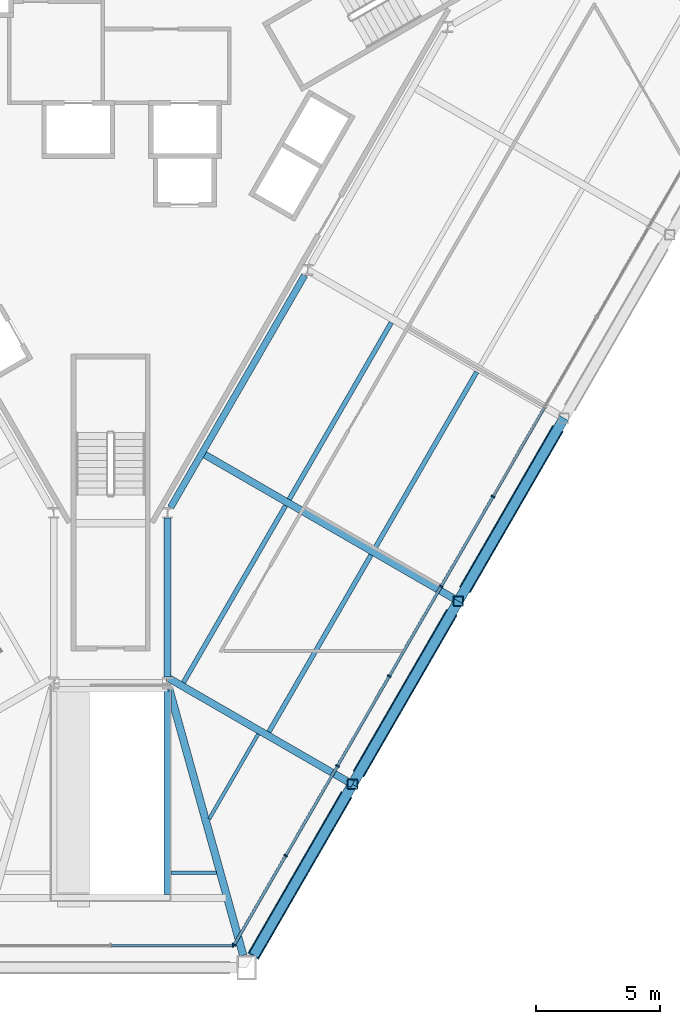
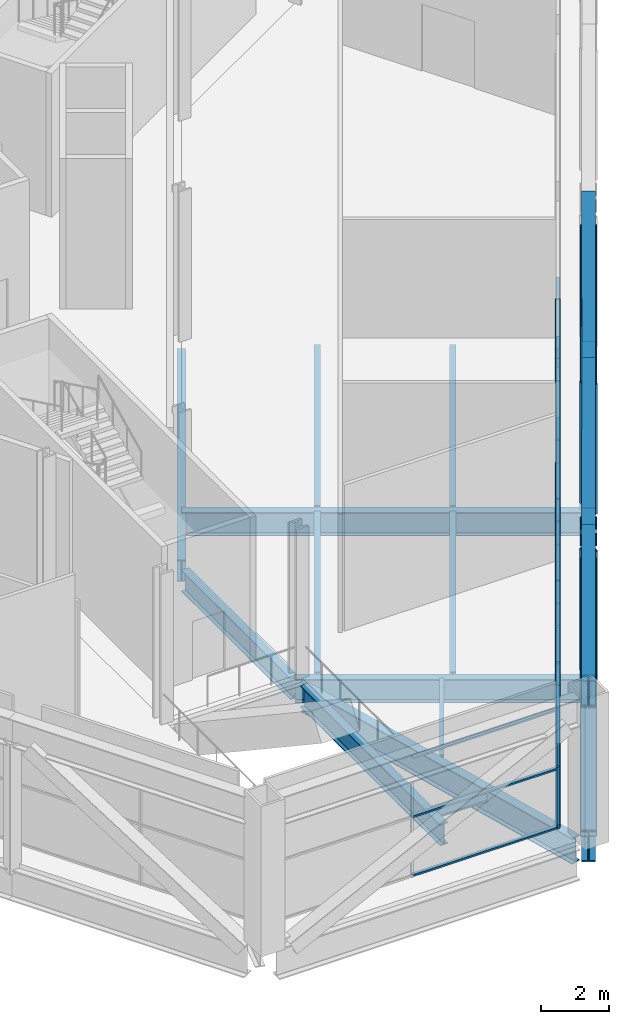
# One storey, part 4 of 20: 38 members, 12 beams, 2 elements without a shape of their own.
"""IFC4 building model written with IfcOpenShell, lengths in metres."""

from ifc_helpers import new_model, si_unit, direction, frame, origin, origin_2d, place, context, subcontext, project, spatial, rectangle, hollow_rectangle, i_section, extrude, material, layer, layer_set, material_profile, profile_set, type_object, element, aggregate, save


model = new_model("IFC4")

# Units and contexts
model_context = context("Model", 3, precision=1e-05, world=origin(), true_north=direction((0.0, 1.0)))
body_context = subcontext(model_context, "Body", "Model", "MODEL_VIEW")
ifc_project = project(units=[si_unit("LENGTHUNIT", "METRE"), si_unit("AREAUNIT", "SQUARE_METRE"), si_unit("VOLUMEUNIT", "CUBIC_METRE"), si_unit("PLANEANGLEUNIT", "RADIAN"), si_unit("MASSUNIT", "GRAM", prefix="KILO")], contexts=[model_context])

# Site, building, storey
site_placement = place(None, origin())
site = spatial("IfcSite", under=ifc_project, at=site_placement, CompositionType="ELEMENT")
building_placement = place(site_placement, origin())
building = spatial("IfcBuilding", under=site, at=building_placement, Name="Verrane Prism Tower", CompositionType="ELEMENT")
storey_placement = place(building_placement, frame((0.0, 0.0, 12.0)))
storey = spatial("IfcBuildingStorey", under=building, at=storey_placement, Name="L01", CompositionType="ELEMENT", Elevation=12.0)

# Curtain wall, member
ifc_material_1 = material(Name="Aluminium and glass curtain wall", Category="aluminium")
ifc_layer = layer(ifc_material_1, 0.199951171875)
ifc_layer_set = layer_set([ifc_layer], Name="CWB-1 retail curtain wall")
curtain_wall_type = type_object("IfcCurtainWallType", Name="CWB-1 retail curtain wall", PredefinedType="NOTDEFINED", material=ifc_layer_set)
curtain_wall_1_placement = place(storey_placement, origin())
curtain_wall_1 = element("IfcCurtainWall", 1, at=curtain_wall_1_placement, inside=storey, type_object=curtain_wall_type, Name="Retail curtain wall L01 5", PredefinedType="NOTDEFINED")
ifc_material_2 = material(Name="Aluminium", Category="aluminium")
ifc_material_profile_1 = material_profile(ifc_material_2, rectangle(XDim=0.159912109375, YDim=0.06005859375, at=origin_2d()), Name="CWB-M 60x160 mullion")
ifc_profile_set_1 = profile_set([ifc_material_profile_1], Name="Aluminium")
member_type_1 = type_object("IfcMemberType", Name="CWB-M 60x160 mullion", PredefinedType="MULLION", material=ifc_profile_set_1)
member_1_placement = place(storey_placement, frame((4.950439453125, -31.913818359375, 0.0), z_axis=(0.0, 0.0, 1.0), x_axis=(0.0, 1.0, 0.0)))
member_1 = element("IfcMember", 2, at=member_1_placement, type_object=member_type_1, Name="CWB15 mullion 3", PredefinedType="MULLION", context=body_context, shape_type="SweptSolid", body=[
    extrude(rectangle(XDim=0.159912109375, YDim=0.06005859375, at=origin_2d()), origin(), (0.0, 0.0, 1.0), 4.2900390625),
])

# Curtain wall, members
curtain_wall_2_placement = place(storey_placement, origin())
curtain_wall_2 = element("IfcCurtainWall", 3, at=curtain_wall_2_placement, inside=storey, type_object=curtain_wall_type, Name="Retail curtain wall L01 6", PredefinedType="NOTDEFINED")
member_2_placement = place(storey_placement, frame((4.995361328125, -31.8876953125, 0.0), z_axis=(0.0, 0.0, 1.0), x_axis=(-0.866025335097, 0.50000011897, 0.0)))
member_2 = element("IfcMember", 4, at=member_2_placement, type_object=member_type_1, Name="CWB16 mullion 1", PredefinedType="MULLION", context=body_context, shape_type="SweptSolid", body=[
    extrude(rectangle(XDim=0.159912109375, YDim=0.06005859375, at=origin_2d()), origin(), (0.0, 0.0, 1.0), 4.2900390625),
])
member_3_placement = place(storey_placement, frame((7.075927734375, -28.283935546875, 0.0), z_axis=(0.0, 0.0, 1.0), x_axis=(-0.866025335097, 0.50000011897, 0.0)))
member_3 = element("IfcMember", 5, at=member_3_placement, type_object=member_type_1, Name="CWB16 mullion 2", PredefinedType="MULLION", context=body_context, shape_type="SweptSolid", body=[
    extrude(rectangle(XDim=0.159912109375, YDim=0.06005859375, at=origin_2d()), origin(), (0.0, 0.0, 1.0), 4.2900390625),
])
member_4_placement = place(storey_placement, frame((9.171630859375, -24.654052734375, 0.0), z_axis=(0.0, 0.0, 1.0), x_axis=(-0.866025335097, 0.50000011897, 0.0)))
member_4 = element("IfcMember", 6, at=member_4_placement, type_object=member_type_1, Name="CWB16 mullion 3", PredefinedType="MULLION", context=body_context, shape_type="SweptSolid", body=[
    extrude(rectangle(XDim=0.159912109375, YDim=0.06005859375, at=origin_2d()), origin(), (0.0, 0.0, 1.0), 4.2900390625),
])
member_5_placement = place(storey_placement, frame((11.267333984375, -21.0244140625, 0.0), z_axis=(0.0, 0.0, 1.0), x_axis=(-0.866025335097, 0.50000011897, 0.0)))
member_5 = element("IfcMember", 7, at=member_5_placement, type_object=member_type_1, Name="CWB16 mullion 4", PredefinedType="MULLION", context=body_context, shape_type="SweptSolid", body=[
    extrude(rectangle(XDim=0.159912109375, YDim=0.06005859375, at=origin_2d()), origin(), (0.0, 0.0, 1.0), 4.2900390625),
])
member_6_placement = place(storey_placement, frame((13.363037109375, -17.39453125, 0.0), z_axis=(0.0, 0.0, 1.0), x_axis=(-0.866025335097, 0.50000011897, 0.0)))
member_6 = element("IfcMember", 8, at=member_6_placement, type_object=member_type_1, Name="CWB16 mullion 5", PredefinedType="MULLION", context=body_context, shape_type="SweptSolid", body=[
    extrude(rectangle(XDim=0.159912109375, YDim=0.06005859375, at=origin_2d()), origin(), (0.0, 0.0, 1.0), 4.2900390625),
])
member_7_placement = place(storey_placement, frame((15.458740234375, -13.764892578125, 0.0), z_axis=(0.0, 0.0, 1.0), x_axis=(-0.866025335097, 0.50000011897, 0.0)))
member_7 = element("IfcMember", 9, at=member_7_placement, type_object=member_type_1, Name="CWB16 mullion 6", PredefinedType="MULLION", context=body_context, shape_type="SweptSolid", body=[
    extrude(rectangle(XDim=0.159912109375, YDim=0.06005859375, at=origin_2d()), origin(), (0.0, 0.0, 1.0), 4.2900390625),
])

# Member
ifc_material_3 = material(Name="Aluminium", Category="aluminium")
ifc_material_profile_2 = material_profile(ifc_material_3, rectangle(XDim=0.1201171875, YDim=0.06005859375, at=origin_2d()), Name="CWB-T 60x120 transom")
ifc_profile_set_2 = profile_set([ifc_material_profile_2], Name="Aluminium")
member_type_2 = type_object("IfcMemberType", Name="CWB-T 60x120 transom", PredefinedType="USERDEFINED", material=ifc_profile_set_2)
member_8_placement = place(storey_placement, frame((0.030029296875, -31.913818359375, 0.030029296875), z_axis=(1.0, 0.0, 0.0), x_axis=(0.0, 1.0, 0.0)))
member_8 = element("IfcMember", 10, at=member_8_placement, type_object=member_type_2, Name="CWB15 transom 2.1", ObjectType="TRANSOM", PredefinedType="USERDEFINED", context=body_context, shape_type="SweptSolid", body=[
    extrude(rectangle(XDim=0.1201171875, YDim=0.06005859375, at=origin_2d()), origin(), (0.0, 0.0, 1.0), 4.890380859375),
])

member_9_placement = place(storey_placement, frame((0.030029296875, -31.913818359375, 2.14501953125), z_axis=(1.0, 0.0, 0.0), x_axis=(0.0, 1.0, 0.0)))
member_9 = element("IfcMember", 11, at=member_9_placement, type_object=member_type_2, Name="CWB15 transom 2.2", ObjectType="TRANSOM", PredefinedType="USERDEFINED", context=body_context, shape_type="SweptSolid", body=[
    extrude(rectangle(XDim=0.1201171875, YDim=0.06005859375, at=origin_2d()), origin(), (0.0, 0.0, 1.0), 4.890380859375),
])

member_10_placement = place(storey_placement, frame((0.030029296875, -31.913818359375, 4.260009765625), z_axis=(1.0, 0.0, 0.0), x_axis=(0.0, 1.0, 0.0)))
member_10 = element("IfcMember", 12, at=member_10_placement, type_object=member_type_2, Name="CWB15 transom 2.3", ObjectType="TRANSOM", PredefinedType="USERDEFINED", context=body_context, shape_type="SweptSolid", body=[
    extrude(rectangle(XDim=0.1201171875, YDim=0.06005859375, at=origin_2d()), origin(), (0.0, 0.0, 1.0), 4.890380859375),
])

aggregate(curtain_wall_1, [member_1, member_8, member_9, member_10])

member_11_placement = place(storey_placement, frame((5.010498046875, -31.86181640625, 0.030029296875), z_axis=(0.499961200281, 0.866047803654, 0.0), x_axis=(-0.866047803654, 0.499961200281, 0.0)))
member_11 = element("IfcMember", 13, at=member_11_placement, type_object=member_type_2, Name="CWB16 transom 1.1", ObjectType="TRANSOM", PredefinedType="USERDEFINED", context=body_context, shape_type="SweptSolid", body=[
    extrude(rectangle(XDim=0.1201171875, YDim=0.06005859375, at=origin_2d()), origin(), (0.0, 0.0, 1.0), 4.101318359375),
])

member_12_placement = place(storey_placement, frame((5.010498046875, -31.86181640625, 2.14501953125), z_axis=(0.499961200281, 0.866047803654, 0.0), x_axis=(-0.866047803654, 0.499961200281, 0.0)))
member_12 = element("IfcMember", 14, at=member_12_placement, type_object=member_type_2, Name="CWB16 transom 1.2", ObjectType="TRANSOM", PredefinedType="USERDEFINED", context=body_context, shape_type="SweptSolid", body=[
    extrude(rectangle(XDim=0.1201171875, YDim=0.06005859375, at=origin_2d()), origin(), (0.0, 0.0, 1.0), 4.101318359375),
])

member_13_placement = place(storey_placement, frame((5.010498046875, -31.86181640625, 4.260009765625), z_axis=(0.499961200281, 0.866047803654, 0.0), x_axis=(-0.866047803654, 0.499961200281, 0.0)))
member_13 = element("IfcMember", 15, at=member_13_placement, type_object=member_type_2, Name="CWB16 transom 1.3", ObjectType="TRANSOM", PredefinedType="USERDEFINED", context=body_context, shape_type="SweptSolid", body=[
    extrude(rectangle(XDim=0.1201171875, YDim=0.06005859375, at=origin_2d()), origin(), (0.0, 0.0, 1.0), 4.101318359375),
])

member_14_placement = place(storey_placement, frame((7.091064453125, -28.258056640625, 0.030029296875), z_axis=(0.499996977546, 0.866027148792, 0.0), x_axis=(-0.866027148792, 0.499996977546, 0.0)))
member_14 = element("IfcMember", 16, at=member_14_placement, type_object=member_type_2, Name="CWB16 transom 2.1", ObjectType="TRANSOM", PredefinedType="USERDEFINED", context=body_context, shape_type="SweptSolid", body=[
    extrude(rectangle(XDim=0.1201171875, YDim=0.06005859375, at=origin_2d()), origin(), (0.0, 0.0, 1.0), 4.13134765625),
])

member_15_placement = place(storey_placement, frame((7.091064453125, -28.258056640625, 2.14501953125), z_axis=(0.499996977546, 0.866027148792, 0.0), x_axis=(-0.866027148792, 0.499996977546, 0.0)))
member_15 = element("IfcMember", 17, at=member_15_placement, type_object=member_type_2, Name="CWB16 transom 2.2", ObjectType="TRANSOM", PredefinedType="USERDEFINED", context=body_context, shape_type="SweptSolid", body=[
    extrude(rectangle(XDim=0.1201171875, YDim=0.06005859375, at=origin_2d()), origin(), (0.0, 0.0, 1.0), 4.13134765625),
])

member_16_placement = place(storey_placement, frame((7.091064453125, -28.258056640625, 4.260009765625), z_axis=(0.499996977546, 0.866027148792, 0.0), x_axis=(-0.866027148792, 0.499996977546, 0.0)))
member_16 = element("IfcMember", 18, at=member_16_placement, type_object=member_type_2, Name="CWB16 transom 2.3", ObjectType="TRANSOM", PredefinedType="USERDEFINED", context=body_context, shape_type="SweptSolid", body=[
    extrude(rectangle(XDim=0.1201171875, YDim=0.06005859375, at=origin_2d()), origin(), (0.0, 0.0, 1.0), 4.13134765625),
])

member_17_placement = place(storey_placement, frame((9.186767578125, -24.628173828125, 0.030029296875), z_axis=(0.499996977546, 0.866027148792, 0.0), x_axis=(-0.866027148792, 0.499996977546, 0.0)))
member_17 = element("IfcMember", 19, at=member_17_placement, type_object=member_type_2, Name="CWB16 transom 3.1", ObjectType="TRANSOM", PredefinedType="USERDEFINED", context=body_context, shape_type="SweptSolid", body=[
    extrude(rectangle(XDim=0.1201171875, YDim=0.06005859375, at=origin_2d()), origin(), (0.0, 0.0, 1.0), 4.13134765625),
])

member_18_placement = place(storey_placement, frame((9.186767578125, -24.628173828125, 2.14501953125), z_axis=(0.499996977546, 0.866027148792, 0.0), x_axis=(-0.866027148792, 0.499996977546, 0.0)))
member_18 = element("IfcMember", 20, at=member_18_placement, type_object=member_type_2, Name="CWB16 transom 3.2", ObjectType="TRANSOM", PredefinedType="USERDEFINED", context=body_context, shape_type="SweptSolid", body=[
    extrude(rectangle(XDim=0.1201171875, YDim=0.06005859375, at=origin_2d()), origin(), (0.0, 0.0, 1.0), 4.13134765625),
])

member_19_placement = place(storey_placement, frame((9.186767578125, -24.628173828125, 4.260009765625), z_axis=(0.499996977546, 0.866027148792, 0.0), x_axis=(-0.866027148792, 0.499996977546, 0.0)))
member_19 = element("IfcMember", 21, at=member_19_placement, type_object=member_type_2, Name="CWB16 transom 3.3", ObjectType="TRANSOM", PredefinedType="USERDEFINED", context=body_context, shape_type="SweptSolid", body=[
    extrude(rectangle(XDim=0.1201171875, YDim=0.06005859375, at=origin_2d()), origin(), (0.0, 0.0, 1.0), 4.13134765625),
])

member_20_placement = place(storey_placement, frame((11.282470703125, -20.998291015625, 0.030029296875), z_axis=(0.499978243488, 0.866037964548, 0.0), x_axis=(-0.866037964548, 0.499978243488, 0.0)))
member_20 = element("IfcMember", 22, at=member_20_placement, type_object=member_type_2, Name="CWB16 transom 4.1", ObjectType="TRANSOM", PredefinedType="USERDEFINED", context=body_context, shape_type="SweptSolid", body=[
    extrude(rectangle(XDim=0.1201171875, YDim=0.06005859375, at=origin_2d()), origin(), (0.0, 0.0, 1.0), 4.131103515625),
])

member_21_placement = place(storey_placement, frame((11.282470703125, -20.998291015625, 2.14501953125), z_axis=(0.499978243488, 0.866037964548, 0.0), x_axis=(-0.866037964548, 0.499978243488, 0.0)))
member_21 = element("IfcMember", 23, at=member_21_placement, type_object=member_type_2, Name="CWB16 transom 4.2", ObjectType="TRANSOM", PredefinedType="USERDEFINED", context=body_context, shape_type="SweptSolid", body=[
    extrude(rectangle(XDim=0.1201171875, YDim=0.06005859375, at=origin_2d()), origin(), (0.0, 0.0, 1.0), 4.131103515625),
])

member_22_placement = place(storey_placement, frame((11.282470703125, -20.998291015625, 4.260009765625), z_axis=(0.499978243488, 0.866037964548, 0.0), x_axis=(-0.866037964548, 0.499978243488, 0.0)))
member_22 = element("IfcMember", 24, at=member_22_placement, type_object=member_type_2, Name="CWB16 transom 4.3", ObjectType="TRANSOM", PredefinedType="USERDEFINED", context=body_context, shape_type="SweptSolid", body=[
    extrude(rectangle(XDim=0.1201171875, YDim=0.06005859375, at=origin_2d()), origin(), (0.0, 0.0, 1.0), 4.131103515625),
])

member_23_placement = place(storey_placement, frame((13.3779296875, -17.36865234375, 0.030029296875), z_axis=(0.499996977546, 0.866027148792, 0.0), x_axis=(-0.866027148792, 0.499996977546, 0.0)))
member_23 = element("IfcMember", 25, at=member_23_placement, type_object=member_type_2, Name="CWB16 transom 5.1", ObjectType="TRANSOM", PredefinedType="USERDEFINED", context=body_context, shape_type="SweptSolid", body=[
    extrude(rectangle(XDim=0.1201171875, YDim=0.06005859375, at=origin_2d()), origin(), (0.0, 0.0, 1.0), 4.13134765625),
])

member_24_placement = place(storey_placement, frame((13.3779296875, -17.36865234375, 2.14501953125), z_axis=(0.499996977546, 0.866027148792, 0.0), x_axis=(-0.866027148792, 0.499996977546, 0.0)))
member_24 = element("IfcMember", 26, at=member_24_placement, type_object=member_type_2, Name="CWB16 transom 5.2", ObjectType="TRANSOM", PredefinedType="USERDEFINED", context=body_context, shape_type="SweptSolid", body=[
    extrude(rectangle(XDim=0.1201171875, YDim=0.06005859375, at=origin_2d()), origin(), (0.0, 0.0, 1.0), 4.13134765625),
])

member_25_placement = place(storey_placement, frame((13.3779296875, -17.36865234375, 4.260009765625), z_axis=(0.499996977546, 0.866027148792, 0.0), x_axis=(-0.866027148792, 0.499996977546, 0.0)))
member_25 = element("IfcMember", 27, at=member_25_placement, type_object=member_type_2, Name="CWB16 transom 5.3", ObjectType="TRANSOM", PredefinedType="USERDEFINED", context=body_context, shape_type="SweptSolid", body=[
    extrude(rectangle(XDim=0.1201171875, YDim=0.06005859375, at=origin_2d()), origin(), (0.0, 0.0, 1.0), 4.13134765625),
])

member_26_placement = place(storey_placement, frame((15.4736328125, -13.73876953125, 0.030029296875), z_axis=(0.499996977546, 0.866027148792, 0.0), x_axis=(-0.866027148792, 0.499996977546, 0.0)))
member_26 = element("IfcMember", 28, at=member_26_placement, type_object=member_type_2, Name="CWB16 transom 6.1", ObjectType="TRANSOM", PredefinedType="USERDEFINED", context=body_context, shape_type="SweptSolid", body=[
    extrude(rectangle(XDim=0.1201171875, YDim=0.06005859375, at=origin_2d()), origin(), (0.0, 0.0, 1.0), 4.13134765625),
])

member_27_placement = place(storey_placement, frame((15.4736328125, -13.73876953125, 2.14501953125), z_axis=(0.499996977546, 0.866027148792, 0.0), x_axis=(-0.866027148792, 0.499996977546, 0.0)))
member_27 = element("IfcMember", 29, at=member_27_placement, type_object=member_type_2, Name="CWB16 transom 6.2", ObjectType="TRANSOM", PredefinedType="USERDEFINED", context=body_context, shape_type="SweptSolid", body=[
    extrude(rectangle(XDim=0.1201171875, YDim=0.06005859375, at=origin_2d()), origin(), (0.0, 0.0, 1.0), 4.13134765625),
])

aggregate(curtain_wall_2, [member_2, member_3, member_4, member_5, member_6, member_7, member_11, member_12, member_13, member_14, member_15, member_16, member_17, member_18, member_19, member_20, member_21, member_22, member_23, member_24, member_25, member_26, member_27])

# Beams
ifc_material_4 = material(Name="Steel A992", Category="steel")
ifc_material_profile_3 = material_profile(ifc_material_4, i_section(OverallWidth=0.2666015625, OverallDepth=0.76708984375, WebThickness=0.014892578125, FlangeThickness=0.023681640625, FilletRadius=0.0166015625, at=origin_2d()), Name="W30x124")
ifc_profile_set_3 = profile_set([ifc_material_profile_3], Name="Steel A992")
beam_type_1 = type_object("IfcBeamType", Name="Core ring girder W30x124", PredefinedType="BEAM", material=ifc_profile_set_3)
beam_1_placement = place(storey_placement, frame((2.300048828125, -21.0625, -0.633544921875), z_axis=(0.0, 1.0, 0.0), x_axis=(-1.0, 0.0, 0.0)))
element("IfcBeam", 30, at=beam_1_placement, inside=storey, type_object=beam_type_1, Name="Core ring girder L01", PredefinedType="BEAM", context=body_context, shape_type="SweptSolid", body=[
    extrude(i_section(OverallWidth=0.2666015625, OverallDepth=0.76708984375, WebThickness=0.014892578125, FlangeThickness=0.023681640625, FilletRadius=0.0166015625, at=origin_2d()), origin(), (0.0, 0.0, 1.0), 6.42529296875),
])
beam_2_placement = place(storey_placement, frame((2.42529296875, -14.202880859375, -0.633544921875), z_axis=(0.500022744667, 0.866012271747, 0.0), x_axis=(-0.866012271747, 0.500022744667, 0.0)))
element("IfcBeam", 31, at=beam_2_placement, inside=storey, type_object=beam_type_1, Name="Core ring girder L01", PredefinedType="BEAM", context=body_context, shape_type="SweptSolid", body=[
    extrude(i_section(OverallWidth=0.2666015625, OverallDepth=0.76708984375, WebThickness=0.014892578125, FlangeThickness=0.023681640625, FilletRadius=0.0166015625, at=origin_2d()), origin(), (0.0, 0.0, 1.0), 10.837890625),
])
ifc_material_5 = material(Name="Steel A992", Category="steel")
ifc_material_profile_4 = material_profile(ifc_material_5, i_section(OverallWidth=0.307373046875, OverallDepth=0.927001953125, WebThickness=0.01953125, FlangeThickness=0.031982421875, FilletRadius=0.01904296875, at=origin_2d()), Name="W36x194")
ifc_profile_set_4 = profile_set([ifc_material_profile_4], Name="Steel A992")
beam_type_2 = type_object("IfcBeamType", Name="Corner girder W36x194", PredefinedType="BEAM", material=ifc_profile_set_4)
beam_3_placement = place(storey_placement, frame((5.361083984375, -32.31005859375, -0.68359375), z_axis=(-0.267873594468, 0.963454066049, 0.0), x_axis=(-0.963454066049, -0.267873594468, 0.0)))
element("IfcBeam", 32, at=beam_3_placement, inside=storey, type_object=beam_type_2, Name="Corner girder L01", PredefinedType="BEAM", context=body_context, shape_type="SweptSolid", body=[
    extrude(i_section(OverallWidth=0.307373046875, OverallDepth=0.927001953125, WebThickness=0.01953125, FlangeThickness=0.031982421875, FilletRadius=0.01904296875, at=origin_2d()), origin(), (0.0, 0.0, 1.0), 11.18115234375),
])
ifc_material_6 = material(Name="Steel A992", Category="steel")
ifc_material_profile_5 = material_profile(ifc_material_6, i_section(OverallWidth=0.140380859375, OverallDepth=0.40380859375, WebThickness=0.007080078125, FlangeThickness=0.01123046875, FilletRadius=0.01025390625, at=origin_2d()), Name="W16x31")
ifc_profile_set_5 = profile_set([ifc_material_profile_5], Name="Steel A992")
beam_type_3 = type_object("IfcBeamType", Name="Floor beam W16x31", PredefinedType="BEAM", material=ifc_profile_set_5)
beam_4_placement = place(storey_placement, frame((3.9873046875, -26.795654296875, -0.36181640625), z_axis=(0.499978641112, 0.866037734993, 0.0), x_axis=(-0.866037734993, 0.499978641112, 0.0)))
element("IfcBeam", 33, at=beam_4_placement, inside=storey, type_object=beam_type_3, Name="Floor beam L01", PredefinedType="BEAM", context=body_context, shape_type="SweptSolid", body=[
    extrude(i_section(OverallWidth=0.140380859375, OverallDepth=0.40380859375, WebThickness=0.007080078125, FlangeThickness=0.01123046875, FilletRadius=0.01025390625, at=origin_2d()), origin(), (0.0, 0.0, 1.0), 3.959716796875),
])
beam_5_placement = place(storey_placement, frame((2.43359375, -28.973388671875, -0.36181640625), z_axis=(1.0, 0.0, 0.0), x_axis=(0.0, 1.0, 0.0)))
element("IfcBeam", 34, at=beam_5_placement, inside=storey, type_object=beam_type_3, Name="Floor beam L01", PredefinedType="BEAM", context=body_context, shape_type="SweptSolid", body=[
    extrude(i_section(OverallWidth=0.140380859375, OverallDepth=0.40380859375, WebThickness=0.007080078125, FlangeThickness=0.01123046875, FilletRadius=0.01025390625, at=origin_2d()), origin(), (0.0, 0.0, 1.0), 1.84033203125),
])
ifc_material_7 = material(Name="Steel A992", Category="steel")
ifc_material_profile_6 = material_profile(ifc_material_7, i_section(OverallWidth=0.1904296875, OverallDepth=0.457275390625, WebThickness=0.009033203125, FlangeThickness=0.014404296875, FilletRadius=0.01025390625, at=origin_2d()), Name="W18x50")
ifc_profile_set_6 = profile_set([ifc_material_profile_6], Name="Steel A992")
beam_type_4 = type_object("IfcBeamType", Name="Floor beam W18x50", PredefinedType="BEAM", material=ifc_profile_set_6)
beam_6_placement = place(storey_placement, frame((6.39892578125, -23.27880859375, -0.388671875), z_axis=(0.499996977546, 0.866027148792, 0.0), x_axis=(-0.866027148792, 0.499996977546, 0.0)))
element("IfcBeam", 35, at=beam_6_placement, inside=storey, type_object=beam_type_4, Name="Floor beam L01", PredefinedType="BEAM", context=body_context, shape_type="SweptSolid", body=[
    extrude(i_section(OverallWidth=0.1904296875, OverallDepth=0.457275390625, WebThickness=0.009033203125, FlangeThickness=0.014404296875, FilletRadius=0.01025390625, at=origin_2d()), origin(), (0.0, 0.0, 1.0), 8.2626953125),
])
beam_7_placement = place(storey_placement, frame((2.943603515625, -21.283203125, -0.388671875), z_axis=(0.500014123243, 0.866017249573, 0.0), x_axis=(-0.866017249573, 0.500014123243, 0.0)))
element("IfcBeam", 36, at=beam_7_placement, inside=storey, type_object=beam_type_4, Name="Floor beam L01", PredefinedType="BEAM", context=body_context, shape_type="SweptSolid", body=[
    extrude(i_section(OverallWidth=0.1904296875, OverallDepth=0.457275390625, WebThickness=0.009033203125, FlangeThickness=0.014404296875, FilletRadius=0.01025390625, at=origin_2d()), origin(), (0.0, 0.0, 1.0), 8.260009765625),
])
beam_8_placement = place(storey_placement, frame((10.67626953125, -15.8701171875, -0.388671875), z_axis=(0.500010949126, 0.866019082211, 0.0), x_axis=(-0.866019082211, 0.500010949126, 0.0)))
element("IfcBeam", 37, at=beam_8_placement, inside=storey, type_object=beam_type_4, Name="Floor beam L01", PredefinedType="BEAM", context=body_context, shape_type="SweptSolid", body=[
    extrude(i_section(OverallWidth=0.1904296875, OverallDepth=0.457275390625, WebThickness=0.009033203125, FlangeThickness=0.014404296875, FilletRadius=0.01025390625, at=origin_2d()), origin(), (0.0, 0.0, 1.0), 8.253173828125),
])
beam_9_placement = place(storey_placement, frame((7.2197265625, -13.876953125, -0.388671875), z_axis=(0.499987846292, 0.866032420617, 0.0), x_axis=(-0.866032420617, 0.499987846292, 0.0)))
element("IfcBeam", 38, at=beam_9_placement, inside=storey, type_object=beam_type_4, Name="Floor beam L01", PredefinedType="BEAM", context=body_context, shape_type="SweptSolid", body=[
    extrude(i_section(OverallWidth=0.1904296875, OverallDepth=0.457275390625, WebThickness=0.009033203125, FlangeThickness=0.014404296875, FilletRadius=0.01025390625, at=origin_2d()), origin(), (0.0, 0.0, 1.0), 8.255126953125),
])
ifc_material_8 = material(Name="Steel A992", Category="steel")
ifc_material_profile_7 = material_profile(ifc_material_8, i_section(OverallWidth=0.2919921875, OverallDepth=0.845703125, WebThickness=0.015380859375, FlangeThickness=0.0244140625, FilletRadius=0.017822265625, at=origin_2d()), Name="W33x141")
ifc_profile_set_7 = profile_set([ifc_material_profile_7], Name="Steel A992")
beam_type_5 = type_object("IfcBeamType", Name="Radial girder W33x141", PredefinedType="BEAM", material=ifc_profile_set_7)
beam_10_placement = place(storey_placement, frame((9.780029296875, -25.39990234375, -0.642822265625), z_axis=(-0.866023660206, 0.500003019955, 0.0), x_axis=(-0.500003019955, -0.866023660206, 0.0)))
element("IfcBeam", 39, at=beam_10_placement, inside=storey, type_object=beam_type_5, Name="Radial girder L01", PredefinedType="BEAM", context=body_context, shape_type="SweptSolid", body=[
    extrude(i_section(OverallWidth=0.2919921875, OverallDepth=0.845703125, WebThickness=0.015380859375, FlangeThickness=0.0244140625, FilletRadius=0.017822265625, at=origin_2d()), origin(), (0.0, 0.0, 1.0), 8.63720703125),
])
beam_11_placement = place(storey_placement, frame((14.06005859375, -17.989990234375, -0.642822265625), z_axis=(-0.866031719379, 0.499989060909, 0.0), x_axis=(-0.499989060909, -0.866031719379, 0.0)))
element("IfcBeam", 40, at=beam_11_placement, inside=storey, type_object=beam_type_5, Name="Radial girder L01", PredefinedType="BEAM", context=body_context, shape_type="SweptSolid", body=[
    extrude(i_section(OverallWidth=0.2919921875, OverallDepth=0.845703125, WebThickness=0.015380859375, FlangeThickness=0.0244140625, FilletRadius=0.017822265625, at=origin_2d()), origin(), (0.0, 0.0, 1.0), 11.969482421875),
])
ifc_material_9 = material(Name="Steel A992", Category="steel")
ifc_material_profile_8 = material_profile(ifc_material_9, i_section(OverallWidth=0.2666015625, OverallDepth=0.76708984375, WebThickness=0.014892578125, FlangeThickness=0.023681640625, FilletRadius=0.0166015625, at=origin_2d()), Name="W30x124")
ifc_profile_set_8 = profile_set([ifc_material_profile_8], Name="Steel A992")
beam_type_6 = type_object("IfcBeamType", Name="Slab edge girder W30x124", PredefinedType="BEAM", material=ifc_profile_set_8)
beam_12_placement = place(storey_placement, frame((2.300048828125, -29.860107421875, -0.54345703125), z_axis=(0.0, 1.0, 0.0), x_axis=(-1.0, 0.0, 0.0)))
element("IfcBeam", 41, at=beam_12_placement, inside=storey, type_object=beam_type_6, Name="Slab edge girder L01", PredefinedType="BEAM", context=body_context, shape_type="SweptSolid", body=[
    extrude(i_section(OverallWidth=0.2666015625, OverallDepth=0.76708984375, WebThickness=0.014892578125, FlangeThickness=0.023681640625, FilletRadius=0.0166015625, at=origin_2d()), origin(), (0.0, 0.0, 1.0), 8.230224609375),
])

# Members
ifc_material_10 = material(Name="Steel A992", Category="steel")
ifc_material_profile_9 = material_profile(ifc_material_10, i_section(OverallWidth=0.4013671875, OverallDepth=1.000732421875, WebThickness=0.01904296875, FlangeThickness=0.0361328125, FilletRadius=0.030029296875, at=origin_2d()), Name="W40x249")
ifc_profile_set_9 = profile_set([ifc_material_profile_9], Name="Steel A992")
member_type_3 = type_object("IfcMemberType", Name="Transfer truss chord W40x249", PredefinedType="CHORD", material=ifc_profile_set_9)
member_28_placement = place(storey_placement, frame((5.788818359375, -32.31005859375, 4.739501953125), z_axis=(0.500153222552, 0.865936922628, 0.0), x_axis=(-0.865936922628, 0.500153222552, 0.0)))
element("IfcMember", 42, at=member_28_placement, inside=storey, type_object=member_type_3, Name="Truss chord L01", PredefinedType="CHORD", context=body_context, shape_type="SweptSolid", body=[
    extrude(i_section(OverallWidth=0.4013671875, OverallDepth=1.000732421875, WebThickness=0.01904296875, FlangeThickness=0.0361328125, FilletRadius=0.030029296875, at=origin_2d()), origin(), (0.0, 0.0, 1.0), 7.97998046875),
])
member_29_placement = place(storey_placement, frame((9.780029296875, -25.39990234375, 4.739501953125), z_axis=(0.500167792183, 0.865928507247, 0.0), x_axis=(-0.865928507247, 0.500167792183, 0.0)))
element("IfcMember", 43, at=member_29_placement, inside=storey, type_object=member_type_3, Name="Truss chord L01", PredefinedType="CHORD", context=body_context, shape_type="SweptSolid", body=[
    extrude(i_section(OverallWidth=0.4013671875, OverallDepth=1.000732421875, WebThickness=0.01904296875, FlangeThickness=0.0361328125, FilletRadius=0.030029296875, at=origin_2d()), origin(), (0.0, 0.0, 1.0), 8.55712890625),
])
member_30_placement = place(storey_placement, frame((14.06005859375, -17.989990234375, 4.739501953125), z_axis=(0.499796667154, 0.866142766235, 0.0), x_axis=(-0.866142766235, 0.499796667154, 0.0)))
element("IfcMember", 44, at=member_30_placement, inside=storey, type_object=member_type_3, Name="Truss chord L01", PredefinedType="CHORD", context=body_context, shape_type="SweptSolid", body=[
    extrude(i_section(OverallWidth=0.4013671875, OverallDepth=1.000732421875, WebThickness=0.01904296875, FlangeThickness=0.0361328125, FilletRadius=0.030029296875, at=origin_2d()), origin(), (0.0, 0.0, 1.0), 8.54345703125),
])
ifc_material_11 = material(Name="Steel A992", Category="steel")
ifc_material_profile_10 = material_profile(ifc_material_11, i_section(OverallWidth=0.40380859375, OverallDepth=1.11767578125, WebThickness=0.026123046875, FlangeThickness=0.044921875, FilletRadius=0.02001953125, at=origin_2d()), Name="W44x335")
ifc_profile_set_10 = profile_set([ifc_material_profile_10], Name="Steel A992")
member_type_4 = type_object("IfcMemberType", Name="Transfer truss chord W44x335", PredefinedType="CHORD", material=ifc_profile_set_10)
member_31_placement = place(storey_placement, frame((5.788818359375, -32.31005859375, -0.72119140625), z_axis=(0.500153222552, 0.865936922628, 0.0), x_axis=(-0.865936922628, 0.500153222552, 0.0)))
element("IfcMember", 45, at=member_31_placement, inside=storey, type_object=member_type_4, Name="Truss chord L01", PredefinedType="CHORD", context=body_context, shape_type="SweptSolid", body=[
    extrude(i_section(OverallWidth=0.40380859375, OverallDepth=1.11767578125, WebThickness=0.026123046875, FlangeThickness=0.044921875, FilletRadius=0.02001953125, at=origin_2d()), origin(), (0.0, 0.0, 1.0), 7.97998046875),
])
member_32_placement = place(storey_placement, frame((9.780029296875, -25.39990234375, -0.72119140625), z_axis=(0.500167792183, 0.865928507247, 0.0), x_axis=(-0.865928507247, 0.500167792183, 0.0)))
element("IfcMember", 46, at=member_32_placement, inside=storey, type_object=member_type_4, Name="Truss chord L01", PredefinedType="CHORD", context=body_context, shape_type="SweptSolid", body=[
    extrude(i_section(OverallWidth=0.40380859375, OverallDepth=1.11767578125, WebThickness=0.026123046875, FlangeThickness=0.044921875, FilletRadius=0.02001953125, at=origin_2d()), origin(), (0.0, 0.0, 1.0), 8.55712890625),
])
member_33_placement = place(storey_placement, frame((14.06005859375, -17.989990234375, -0.72119140625), z_axis=(0.499796667154, 0.866142766235, 0.0), x_axis=(-0.866142766235, 0.499796667154, 0.0)))
element("IfcMember", 47, at=member_33_placement, inside=storey, type_object=member_type_4, Name="Truss chord L01", PredefinedType="CHORD", context=body_context, shape_type="SweptSolid", body=[
    extrude(i_section(OverallWidth=0.40380859375, OverallDepth=1.11767578125, WebThickness=0.026123046875, FlangeThickness=0.044921875, FilletRadius=0.02001953125, at=origin_2d()), origin(), (0.0, 0.0, 1.0), 8.54345703125),
])
ifc_material_12 = material(Name="Steel A500 Grade C", Category="steel")
ifc_material_profile_11 = material_profile(ifc_material_12, hollow_rectangle(XDim=0.508056640625, YDim=0.508056640625, WallThickness=0.01904296875, InnerFilletRadius=0.009521484375, OuterFilletRadius=0.028564453125, at=origin_2d()), Name="HSS20x20x3/4")
ifc_profile_set_11 = profile_set([ifc_material_profile_11], Name="Steel A500 Grade C")
member_type_5 = type_object("IfcMemberType", Name="Transfer truss diagonal HSS20x20x3/4", PredefinedType="BRACE", material=ifc_profile_set_11)
member_34_placement = place(storey_placement, frame((5.82958984375, -32.239501953125, -0.30078125), z_axis=(0.421613212927, 0.729963949548, 0.53795439495), x_axis=(-0.865938924228, 0.500149757079, 0.0)))
element("IfcMember", 48, at=member_34_placement, inside=storey, type_object=member_type_5, Name="Truss diagonal L01", PredefinedType="BRACE", context=body_context, shape_type="SweptSolid", body=[
    extrude(hollow_rectangle(XDim=0.508056640625, YDim=0.508056640625, WallThickness=0.01904296875, InnerFilletRadius=0.009521484375, OuterFilletRadius=0.028564453125, at=origin_2d()), origin(), (0.0, 0.0, 1.0), 8.6435546875),
])
member_35_placement = place(storey_placement, frame((13.73046875, -18.560302734375, -0.30078125), z_axis=(-0.421604520276, -0.729977143869, 0.537943303622), x_axis=(0.865947305477, -0.500135245845, 0.0)))
element("IfcMember", 49, at=member_35_placement, inside=storey, type_object=member_type_5, Name="Truss diagonal L01", PredefinedType="BRACE", context=body_context, shape_type="SweptSolid", body=[
    extrude(hollow_rectangle(XDim=0.508056640625, YDim=0.508056640625, WallThickness=0.01904296875, InnerFilletRadius=0.009521484375, OuterFilletRadius=0.028564453125, at=origin_2d()), origin(), (0.0, 0.0, 1.0), 8.643798828125),
])
member_36_placement = place(storey_placement, frame((14.388671875, -17.42041015625, -0.30078125), z_axis=(0.421118464236, 0.729810485592, 0.53854980661), x_axis=(-0.866147592672, 0.499788302893, 0.0)))
element("IfcMember", 50, at=member_36_placement, inside=storey, type_object=member_type_5, Name="Truss diagonal L01", PredefinedType="BRACE", context=body_context, shape_type="SweptSolid", body=[
    extrude(hollow_rectangle(XDim=0.508056640625, YDim=0.508056640625, WallThickness=0.01904296875, InnerFilletRadius=0.009521484375, OuterFilletRadius=0.028564453125, at=origin_2d()), origin(), (0.0, 0.0, 1.0), 8.634033203125),
])
ifc_material_13 = material(Name="Steel A500 Grade C", Category="steel")
ifc_material_profile_12 = material_profile(ifc_material_13, hollow_rectangle(XDim=0.406494140625, YDim=0.406494140625, WallThickness=0.01904296875, InnerFilletRadius=0.009521484375, OuterFilletRadius=0.028564453125, at=origin_2d()), Name="HSS16x16x3/4")
ifc_profile_set_12 = profile_set([ifc_material_profile_12], Name="Steel A500 Grade C")
member_type_6 = type_object("IfcMemberType", Name="Transfer truss post HSS16x16x3/4", PredefinedType="POST", material=ifc_profile_set_12)
for number, where, z_axis, x_axis, name in (
    (51, (9.780029296875, -25.39990234375, -0.30078125), (0.0, 0.0, 1.0), (1.0, 0.0, 0.0), "Truss post L01"),
    (52, (14.06005859375, -17.989990234375, -0.30078125), (0.0, 0.0, 1.0), (1.0, 0.0, 0.0), "Truss post L01"),
):
    element("IfcMember", number, at=place(storey_placement, frame(where, z_axis=z_axis, x_axis=x_axis)), inside=storey, type_object=member_type_6, Name=name, PredefinedType="POST", context=body_context, shape_type="SweptSolid", body=[
        extrude(hollow_rectangle(XDim=0.406494140625, YDim=0.406494140625, WallThickness=0.01904296875, InnerFilletRadius=0.009521484375, OuterFilletRadius=0.028564453125, at=origin_2d()), origin(), (0.0, 0.0, 1.0), 4.64990234375),
    ])

save(model, "model.ifc")
